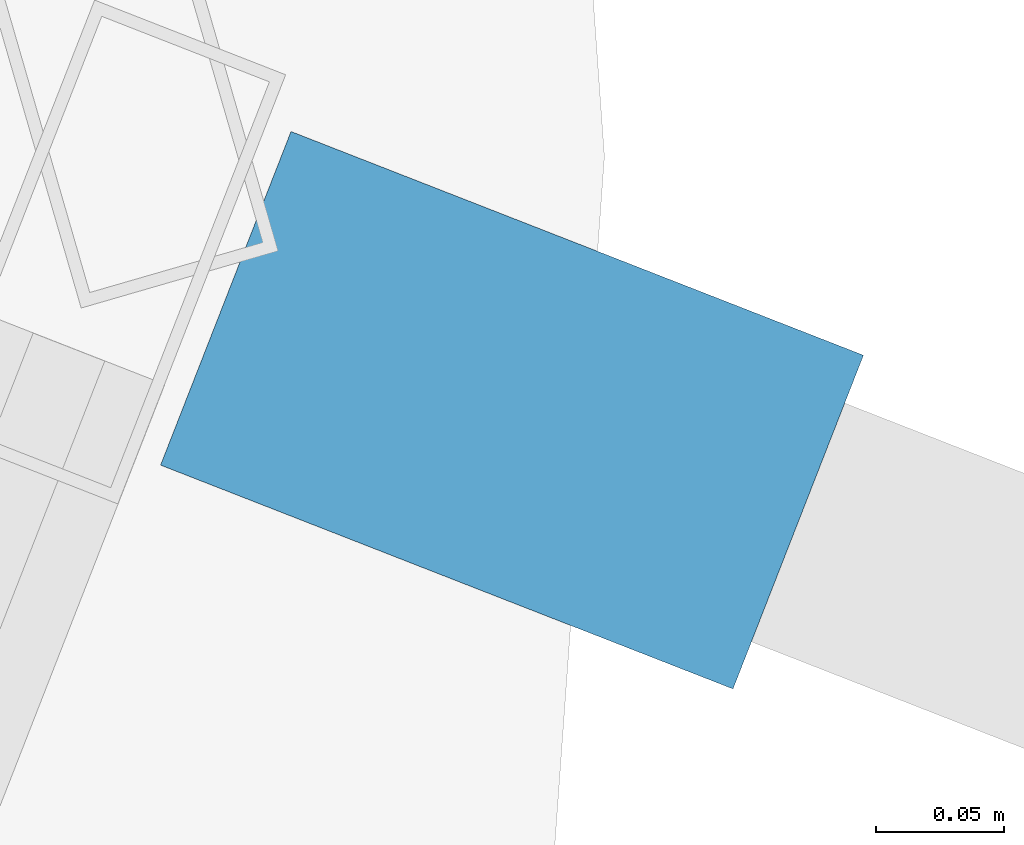
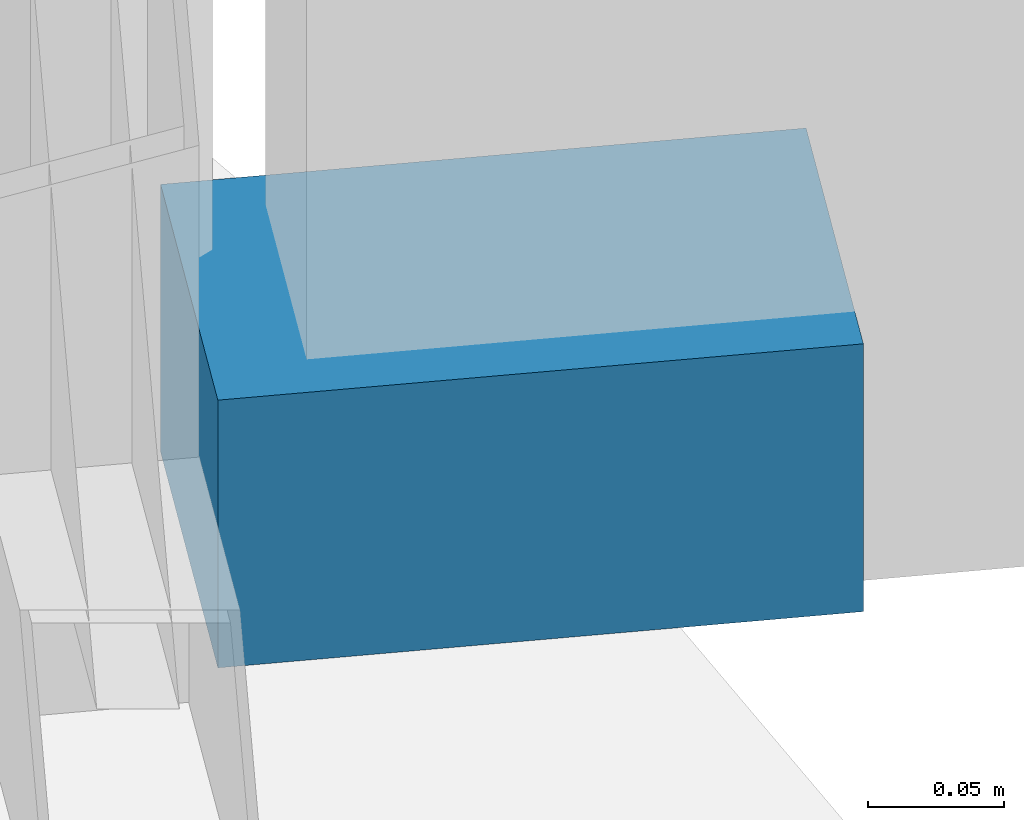
# One storey, part 30 of 34: 1 discrete accessory.
"""IFC4 building model written with IfcOpenShell, lengths in metres."""

from ifc_helpers import new_model, si_unit, direction, frame, origin, origin_2d, place, context, subcontext, project, spatial, rectangle, extrude, material, type_object, element, save


model = new_model("IFC4")

# Units and contexts
model_context = context("Model", 3, precision=1e-05, world=origin(), true_north=direction((0.0, 1.0)))
body_context = subcontext(model_context, "Body", "Model", "MODEL_VIEW")
ifc_project = project(units=[si_unit("LENGTHUNIT", "METRE"), si_unit("AREAUNIT", "SQUARE_METRE"), si_unit("VOLUMEUNIT", "CUBIC_METRE"), si_unit("PLANEANGLEUNIT", "RADIAN"), si_unit("MASSUNIT", "GRAM", prefix="KILO")], contexts=[model_context])

# Site, building, storey
site_placement = place(None, origin())
site = spatial("IfcSite", under=ifc_project, at=site_placement, CompositionType="ELEMENT")
building_placement = place(site_placement, origin())
building = spatial("IfcBuilding", under=site, at=building_placement, Name="Kazevale Care Tower and Concert Hall", CompositionType="ELEMENT")
storey_placement = place(building_placement, frame((0.0, 0.0, 171.0)))
storey = spatial("IfcBuildingStorey", under=building, at=storey_placement, Name="L45", CompositionType="ELEMENT", Elevation=171.0)

# Discrete accessory
ifc_material = material(Name="Stainless Steel 316", Category="steel")
discrete_accessory_type = type_object("IfcDiscreteAccessoryType", Name="Facade Fin Stainless Anchor Bracket BRK-1", PredefinedType="BRACKET", material=ifc_material)
discrete_accessory_placement = place(storey_placement, frame((79.36376953125, 37.90087890625, 0.0), z_axis=(0.0, 0.0, 1.0), x_axis=(0.931373876365, -0.364064146031, 0.0)))
element("IfcDiscreteAccessory", 1, at=discrete_accessory_placement, inside=storey, type_object=discrete_accessory_type, Name="cw:L45:f01:brk", PredefinedType="BRACKET", context=body_context, shape_type="SweptSolid", body=[
    extrude(rectangle(XDim=0.239990234375, YDim=0.139892578125, at=origin_2d()), origin(), (0.0, 0.0, 1.0), 0.1201171875),
])

save(model, "model.ifc")
